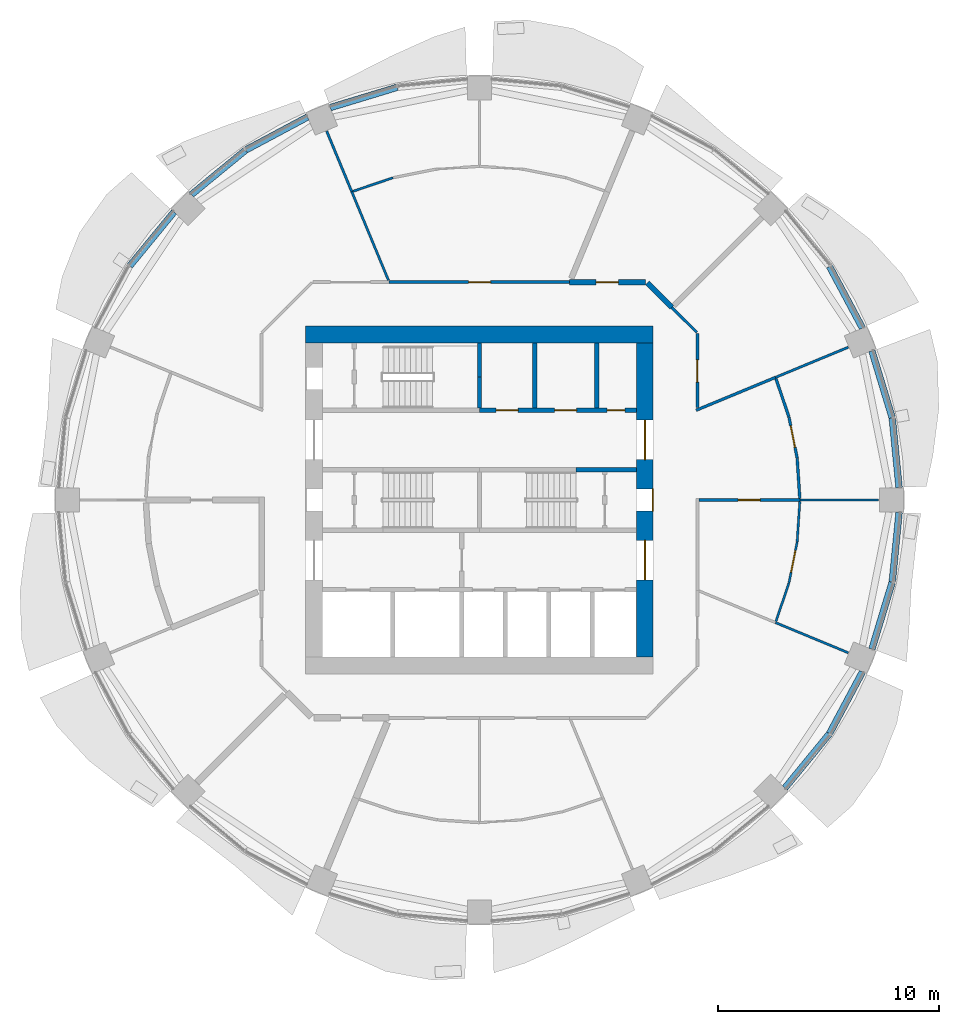
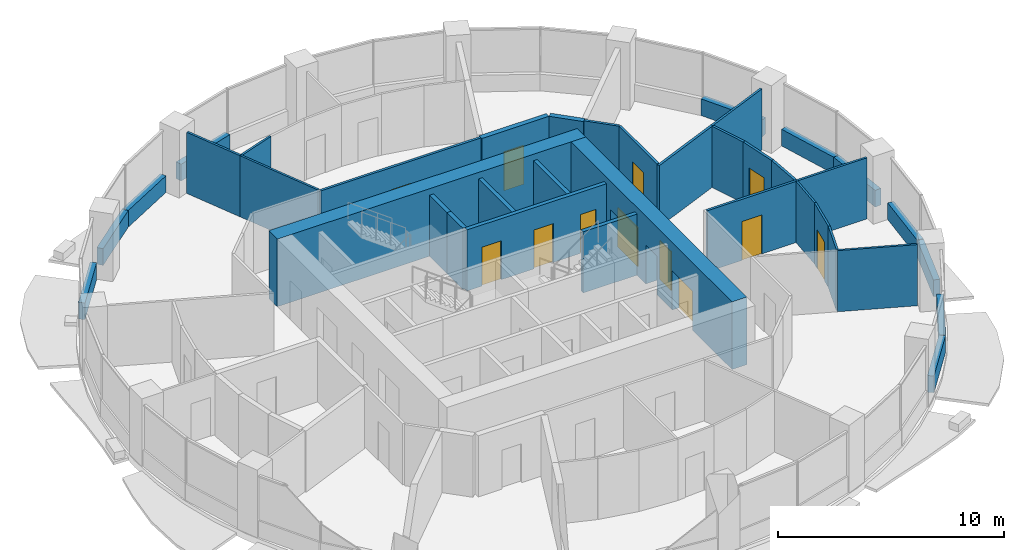
# One storey, part 9 of 14: 38 walls, 12 doors, 12 openings.
"""IFC4 building model written with IfcOpenShell, lengths in metres."""

from ifc_helpers import new_model, si_unit, direction, frame, frame_2d, origin, place, context, subcontext, project, spatial, rectangle, extrude, material, layer, layer_set, type_object, element, fill, save


model = new_model("IFC4")

# Units and contexts
model_context = context("Model", 3, precision=1e-05, world=origin(), true_north=direction((0.0, 1.0)))
body_context = subcontext(model_context, "Body", "Model", "MODEL_VIEW")
ifc_project = project(units=[si_unit("LENGTHUNIT", "METRE"), si_unit("AREAUNIT", "SQUARE_METRE"), si_unit("VOLUMEUNIT", "CUBIC_METRE"), si_unit("PLANEANGLEUNIT", "RADIAN"), si_unit("MASSUNIT", "GRAM", prefix="KILO")], contexts=[model_context])

# Site, building, storey
site_placement = place(None, origin())
site = spatial("IfcSite", under=ifc_project, at=site_placement, CompositionType="ELEMENT")
building_placement = place(site_placement, origin())
building = spatial("IfcBuilding", under=site, at=building_placement, Name="Polderwave Tower", CompositionType="ELEMENT")
storey_placement = place(building_placement, frame((0.0, 0.0, 98.300048828125)))
storey = spatial("IfcBuildingStorey", under=building, at=storey_placement, Name="L25", CompositionType="ELEMENT", Elevation=98.300048828125)

# Wall
ifc_material_1 = material(Name="Concrete C70/85", Category="concrete")
ifc_layer_1 = layer(ifc_material_1, 0.75)
ifc_layer_set_1 = layer_set([ifc_layer_1], Name="CORE WALL 750 C70/85")
wall_type_1 = type_object("IfcWallType", Name="CORE WALL 750 C70/85", PredefinedType="SHEAR", material=ifc_layer_set_1)
wall_1_placement = place(storey_placement, frame((-7.8740234375, 7.4990234375, 0.0), z_axis=(0.0, 0.0, 1.0), x_axis=(1.0, 0.0, 0.0)))
element("IfcWall", 1, at=wall_1_placement, inside=storey, type_object=wall_type_1, Name="ST-CORE-L25-N", PredefinedType="SHEAR", context=body_context, shape_type="SweptSolid", body=[
    extrude(rectangle(XDim=15.748046875, YDim=0.75, at=frame_2d((7.8740234375, 0.0))), origin(), (0.0, 0.0, 1.0), 3.64990234375),
])

# Wall, openings, doors
wall_2_placement = place(storey_placement, frame((7.4990234375, -7.1240234375, 0.0), z_axis=(0.0, 0.0, 1.0), x_axis=(0.0, 1.0, 0.0)))
wall_2 = element("IfcWall", 2, at=wall_2_placement, inside=storey, type_object=wall_type_1, Name="ST-CORE-L25-E", PredefinedType="SHEAR", context=body_context, shape_type="SweptSolid", body=[
    extrude(rectangle(XDim=14.248046875, YDim=0.75, at=frame_2d((7.1240234375, 0.0))), origin(), (0.0, 0.0, 1.0), 3.64990234375),
])
opening_1_placement = place(wall_2_placement, frame((6.6240234375, 0.0, 0.0)))
opening_1 = element("IfcOpeningElement", 3, at=opening_1_placement, cuts=wall_2, Name="Opening L25-D21", PredefinedType="OPENING", context=body_context, shape_type="SweptSolid", body=[
    extrude(rectangle(XDim=1.0, YDim=2.10009765625, at=frame_2d((0.5, 1.050048828125))), frame((0.0, 0.385009765625, 0.0), z_axis=(0.0, -1.0, 0.0), x_axis=(1.0, 0.0, 0.0)), (0.0, 0.0, 1.0), 0.77001953125),
])
opening_2_placement = place(wall_2_placement, frame((3.49951171875, 0.0, 0.0)))
opening_2 = element("IfcOpeningElement", 4, at=opening_2_placement, cuts=wall_2, Name="Opening L25-D22", PredefinedType="OPENING", context=body_context, shape_type="SweptSolid", body=[
    extrude(rectangle(XDim=1.800048828125, YDim=2.10009765625, at=frame_2d((0.89990234375, 1.050048828125))), frame((0.0, 0.385009765625, 0.0), z_axis=(0.0, -1.0, 0.0), x_axis=(1.0, 0.0, 0.0)), (0.0, 0.0, 1.0), 0.77001953125),
])
opening_3_placement = place(wall_2_placement, frame((8.948486328125, 0.0, 0.0)))
opening_3 = element("IfcOpeningElement", 5, at=opening_3_placement, cuts=wall_2, Name="Opening L25-D23", PredefinedType="OPENING", context=body_context, shape_type="SweptSolid", body=[
    extrude(rectangle(XDim=1.800048828125, YDim=2.10009765625, at=frame_2d((0.89990234375, 1.050048828125))), frame((0.0, 0.385009765625, 0.0), z_axis=(0.0, -1.0, 0.0), x_axis=(1.0, 0.0, 0.0)), (0.0, 0.0, 1.0), 0.77001953125),
])
ifc_material_2 = material(Name="Steel fire door", Category="steel")
door_type_1 = type_object("IfcDoorType", Name="Lobby entry door pair 1800", OperationType="DOUBLE_DOOR_SINGLE_SWING", PredefinedType="DOOR", material=ifc_material_2)
door_1_placement = place(opening_2_placement, frame((1.800048828125, 0.0, 0.0), z_axis=(0.0, 0.0, 1.0), x_axis=(-1.0, 0.0, 0.0)))
door_1 = element("IfcDoor", 6, at=door_1_placement, inside=storey, type_object=door_type_1, Name="South lobby entry door", OperationType="DOUBLE_DOOR_SINGLE_SWING", OverallHeight=2.10009765625, OverallWidth=1.800048828125, PredefinedType="DOOR", context=body_context, shape_type="SweptSolid", body=[
    extrude(rectangle(XDim=1.800048828125, YDim=2.10009765625, at=frame_2d((0.89990234375, 1.050048828125))), frame((0.0, 0.02490234375, 0.0), z_axis=(0.0, -1.0, 0.0), x_axis=(1.0, 0.0, 0.0)), (0.0, 0.0, 1.0), 0.050048828125),
])
fill(opening_2, door_1)
door_2_placement = place(opening_3_placement, frame((1.800048828125, 0.0, 0.0), z_axis=(0.0, 0.0, 1.0), x_axis=(-1.0, 0.0, 0.0)))
door_2 = element("IfcDoor", 7, at=door_2_placement, inside=storey, type_object=door_type_1, Name="North lobby entry door", OperationType="DOUBLE_DOOR_SINGLE_SWING", OverallHeight=2.10009765625, OverallWidth=1.800048828125, PredefinedType="DOOR", context=body_context, shape_type="SweptSolid", body=[
    extrude(rectangle(XDim=1.800048828125, YDim=2.10009765625, at=frame_2d((0.89990234375, 1.050048828125))), frame((0.0, 0.02490234375, 0.0), z_axis=(0.0, -1.0, 0.0), x_axis=(1.0, 0.0, 0.0)), (0.0, 0.0, 1.0), 0.050048828125),
])
fill(opening_3, door_2)
door_type_2 = type_object("IfcDoorType", Name="Stair door 1000", OperationType="NOTDEFINED", PredefinedType="DOOR", material=ifc_material_2)
door_3_placement = place(opening_1_placement, frame((1.0, 0.0, 0.0), z_axis=(0.0, 0.0, 1.0), x_axis=(-1.0, 0.0, 0.0)))
door_3 = element("IfcDoor", 8, at=door_3_placement, inside=storey, type_object=door_type_2, Name="Stair B entry door", OperationType="SINGLE_SWING_LEFT", OverallHeight=2.10009765625, OverallWidth=1.0, PredefinedType="DOOR", context=body_context, shape_type="SweptSolid", body=[
    extrude(rectangle(XDim=1.0, YDim=2.10009765625, at=frame_2d((0.5, 1.050048828125))), frame((0.0, 0.375, 0.0), z_axis=(0.0, -1.0, 0.0), x_axis=(1.0, 0.0, 0.0)), (0.0, 0.0, 1.0), 0.050048828125),
])
fill(opening_1, door_3)

# Walls
ifc_material_3 = material(Name="Concrete C50/60 (board-marked)", Category="concrete")
ifc_layer_2 = layer(ifc_material_3, 0.300048828125)
ifc_layer_set_2 = layer_set([ifc_layer_2], Name="Concrete spandrel upstand C50/60")
wall_type_2 = type_object("IfcWallType", Name="Concrete spandrel upstand C50/60", PredefinedType="SOLIDWALL", material=ifc_layer_set_2)
wall_3_placement = place(storey_placement, frame((19.014404296875, 0.56396484375, 0.0), z_axis=(0.0, 0.0, 1.0), x_axis=(-0.097849336863, 0.995201239587, 0.0)))
element("IfcWall", 9, at=wall_3_placement, inside=storey, type_object=wall_type_2, Name="Spandrel L25 1a", PredefinedType="SOLIDWALL", context=body_context, shape_type="SweptSolid", body=[
    extrude(rectangle(XDim=3.15625, YDim=0.300048828125, at=frame_2d((1.578125, 0.0))), origin(), (0.0, 0.0, 1.0), 0.89990234375),
])
wall_4_placement = place(storey_placement, frame((18.69970703125, 3.734375, 0.0), z_axis=(0.0, 0.0, 1.0), x_axis=(-0.290503096001, 0.956874051907, 0.0)))
element("IfcWall", 10, at=wall_4_placement, inside=storey, type_object=wall_type_2, Name="Spandrel L25 1b", PredefinedType="SOLIDWALL", context=body_context, shape_type="SweptSolid", body=[
    extrude(rectangle(XDim=3.157470703125, YDim=0.300048828125, at=frame_2d((1.57861328125, 0.0))), origin(), (0.0, 0.0, 1.0), 0.89990234375),
])
wall_5_placement = place(storey_placement, frame((17.350830078125, 7.797119140625, 0.0), z_axis=(0.0, 0.0, 1.0), x_axis=(-0.471238306932, 0.882005928597, 0.0)))
element("IfcWall", 11, at=wall_5_placement, inside=storey, type_object=wall_type_2, Name="Spandrel L25 2a", PredefinedType="SOLIDWALL", context=body_context, shape_type="SweptSolid", body=[
    extrude(rectangle(XDim=3.1572265625, YDim=0.300048828125, at=frame_2d((1.57861328125, 0.0))), origin(), (0.0, 0.0, 1.0), 0.89990234375),
])
wall_6_placement = place(storey_placement, frame((-3.734375, 18.69970703125, 0.0), z_axis=(0.0, 0.0, 1.0), x_axis=(-0.956874051907, -0.290503096001, 0.0)))
element("IfcWall", 12, at=wall_6_placement, inside=storey, type_object=wall_type_2, Name="Spandrel L25 5b", PredefinedType="SOLIDWALL", context=body_context, shape_type="SweptSolid", body=[
    extrude(rectangle(XDim=3.157470703125, YDim=0.300048828125, at=frame_2d((1.57861328125, 0.0))), origin(), (0.0, 0.0, 1.0), 0.89990234375),
])
for number, where, z_axis, x_axis, name in (
    (13, (-7.797119140625, 17.350830078125, 0.0), (0.0, 0.0, 1.0), (-0.882005928597, -0.471238306932, 0.0), "Spandrel L25 6a"),
    (14, (-10.606689453125, 15.846435546875, 0.0), (0.0, 0.0, 1.0), (-0.773022810229, -0.63437822698, 0.0), "Spandrel L25 6b"),
    (15, (-13.843505859375, 13.04736328125, 0.0), (0.0, 0.0, 1.0), (-0.63437822698, -0.773022810229, 0.0), "Spandrel L25 7a"),
    (16, (13.843505859375, -13.04736328125, 0.0), (0.0, 0.0, 1.0), (0.63437822698, 0.773022810229, 0.0), "Spandrel L25 15a"),
    (17, (15.863037109375, -10.581787109375, 0.0), (0.0, 0.0, 1.0), (0.471238306932, 0.882005928597, 0.0), "Spandrel L25 15b"),
):
    element("IfcWall", number, at=place(storey_placement, frame(where, z_axis=z_axis, x_axis=x_axis)), inside=storey, type_object=wall_type_2, Name=name, PredefinedType="SOLIDWALL", context=body_context, shape_type="SweptSolid", body=[
        extrude(rectangle(XDim=3.1572265625, YDim=0.300048828125, at=frame_2d((1.57861328125, 0.0))), origin(), (0.0, 0.0, 1.0), 0.89990234375),
    ])
wall_7_placement = place(storey_placement, frame((17.782470703125, -6.755615234375, 0.0), z_axis=(0.0, 0.0, 1.0), x_axis=(0.290503096001, 0.956874051907, 0.0)))
element("IfcWall", 18, at=wall_7_placement, inside=storey, type_object=wall_type_2, Name="Spandrel L25 16a", PredefinedType="SOLIDWALL", context=body_context, shape_type="SweptSolid", body=[
    extrude(rectangle(XDim=3.157470703125, YDim=0.300048828125, at=frame_2d((1.57861328125, 0.0))), origin(), (0.0, 0.0, 1.0), 0.89990234375),
])
wall_8_placement = place(storey_placement, frame((18.70556640625, -3.705078125, 0.0), z_axis=(0.0, 0.0, 1.0), x_axis=(0.097849336863, 0.995201239587, 0.0)))
element("IfcWall", 19, at=wall_8_placement, inside=storey, type_object=wall_type_2, Name="Spandrel L25 16b", PredefinedType="SOLIDWALL", context=body_context, shape_type="SweptSolid", body=[
    extrude(rectangle(XDim=3.15625, YDim=0.300048828125, at=frame_2d((1.578125, 0.0))), origin(), (0.0, 0.0, 1.0), 0.89990234375),
])
ifc_material_4 = material(Name="Gypsum board partition")
ifc_layer_3 = layer(ifc_material_4, 0.199951171875)
ifc_layer_set_3 = layer_set([ifc_layer_3], Name="Core room partition 200")
wall_type_3 = type_object("IfcWallType", Name="Core room partition 200", PredefinedType="PARTITIONING", material=ifc_layer_set_3)
wall_9_placement = place(storey_placement, frame((2.508544921875, 4.174072265625, 0.0), z_axis=(0.0, 0.0, 1.0), x_axis=(0.0, 1.0, 0.0)))
element("IfcWall", 20, at=wall_9_placement, inside=storey, type_object=wall_type_3, Name="L25 room partition N1", PredefinedType="PARTITIONING", context=body_context, shape_type="SweptSolid", body=[
    extrude(rectangle(XDim=2.949951171875, YDim=0.199951171875, at=frame_2d((1.47509765625, 0.0))), origin(), (0.0, 0.0, 1.0), 3.300048828125),
])

# Wall, openings, doors
ifc_material_5 = material(Name="Concrete C50/60", Category="concrete")
ifc_layer_4 = layer(ifc_material_5, 0.199951171875)
ifc_layer_set_4 = layer_set([ifc_layer_4], Name="Core web wall 200")
wall_type_4 = type_object("IfcWallType", Name="Core web wall 200", PredefinedType="SHEAR", material=ifc_layer_set_4)
wall_10_placement = place(storey_placement, frame((0.0, 4.073974609375, 0.0), z_axis=(0.0, 0.0, 1.0), x_axis=(1.0, 0.0, 0.0)))
wall_10 = element("IfcWall", 21, at=wall_10_placement, inside=storey, type_object=wall_type_4, Name="L25 north front wall 2", PredefinedType="SHEAR", context=body_context, shape_type="SweptSolid", body=[
    extrude(rectangle(XDim=7.1240234375, YDim=0.199951171875, at=frame_2d((3.56201171875, 0.0))), origin(), (0.0, 0.0, 1.0), 3.300048828125),
])
opening_4_placement = place(wall_10_placement, frame((0.754150390625, 0.0, 0.0)))
opening_4 = element("IfcOpeningElement", 22, at=opening_4_placement, cuts=wall_10, Name="Opening L25-D14", PredefinedType="OPENING", context=body_context, shape_type="SweptSolid", body=[
    extrude(rectangle(XDim=1.0, YDim=2.10009765625, at=frame_2d((0.5, 1.050048828125))), frame((0.0, 0.10986328125, 0.0), z_axis=(0.0, -1.0, 0.0), x_axis=(1.0, 0.0, 0.0)), (0.0, 0.0, 1.0), 0.219970703125),
])
opening_5_placement = place(wall_10_placement, frame((3.406982421875, 0.0, 0.0)))
opening_5 = element("IfcOpeningElement", 23, at=opening_5_placement, cuts=wall_10, Name="Opening L25-D15", PredefinedType="OPENING", context=body_context, shape_type="SweptSolid", body=[
    extrude(rectangle(XDim=1.0, YDim=2.10009765625, at=frame_2d((0.5, 1.050048828125))), frame((0.0, 0.10986328125, 0.0), z_axis=(0.0, -1.0, 0.0), x_axis=(1.0, 0.0, 0.0)), (0.0, 0.0, 1.0), 0.219970703125),
])
opening_6_placement = place(wall_10_placement, frame((5.789794921875, 0.0, 0.0)))
opening_6 = element("IfcOpeningElement", 24, at=opening_6_placement, cuts=wall_10, Name="Opening L25-D16", PredefinedType="OPENING", context=body_context, shape_type="SweptSolid", body=[
    extrude(rectangle(XDim=0.800048828125, YDim=2.10009765625, at=frame_2d((0.39990234375, 1.050048828125))), frame((0.0, 0.10986328125, 0.0), z_axis=(0.0, -1.0, 0.0), x_axis=(1.0, 0.0, 0.0)), (0.0, 0.0, 1.0), 0.219970703125),
])
ifc_material_6 = material(Name="Timber door leaf", Category="wood")
door_type_3 = type_object("IfcDoorType", Name="Accessible WC door 1000", OperationType="NOTDEFINED", PredefinedType="DOOR", material=ifc_material_6)
door_4_placement = place(opening_4_placement, origin())
door_4 = element("IfcDoor", 25, at=door_4_placement, inside=storey, type_object=door_type_3, Name="Accessible WC door", OperationType="SINGLE_SWING_LEFT", OverallHeight=2.10009765625, OverallWidth=1.0, PredefinedType="DOOR", context=body_context, shape_type="SweptSolid", body=[
    extrude(rectangle(XDim=1.0, YDim=2.10009765625, at=frame_2d((0.5, 1.050048828125))), frame((0.0, 0.02490234375, 0.0), z_axis=(0.0, -1.0, 0.0), x_axis=(1.0, 0.0, 0.0)), (0.0, 0.0, 1.0), 0.050048828125),
])
fill(opening_4, door_4)
door_type_4 = type_object("IfcDoorType", Name="Riser door 800", OperationType="NOTDEFINED", PredefinedType="DOOR", material=ifc_material_2)
door_5_placement = place(opening_6_placement, frame((0.800048828125, 0.0, 0.0), z_axis=(0.0, 0.0, 1.0), x_axis=(-1.0, 0.0, 0.0)))
door_5 = element("IfcDoor", 26, at=door_5_placement, inside=storey, type_object=door_type_4, Name="Riser door", OperationType="SINGLE_SWING_LEFT", OverallHeight=2.10009765625, OverallWidth=0.800048828125, PredefinedType="DOOR", context=body_context, shape_type="SweptSolid", body=[
    extrude(rectangle(XDim=0.800048828125, YDim=2.10009765625, at=frame_2d((0.39990234375, 1.050048828125))), frame((0.0, 0.02490234375, 0.0), z_axis=(0.0, -1.0, 0.0), x_axis=(1.0, 0.0, 0.0)), (0.0, 0.0, 1.0), 0.050048828125),
])
fill(opening_6, door_5)
door_type_5 = type_object("IfcDoorType", Name="Room door 1000", OperationType="NOTDEFINED", PredefinedType="DOOR", material=ifc_material_6)
door_6_placement = place(opening_5_placement, origin())
door_6 = element("IfcDoor", 27, at=door_6_placement, inside=storey, type_object=door_type_5, Name="Nutrient dosing room door", OperationType="SINGLE_SWING_RIGHT", OverallHeight=2.10009765625, OverallWidth=1.0, PredefinedType="DOOR", context=body_context, shape_type="SweptSolid", body=[
    extrude(rectangle(XDim=1.0, YDim=2.10009765625, at=frame_2d((0.5, 1.050048828125))), frame((0.0, 0.02490234375, 0.0), z_axis=(0.0, -1.0, 0.0), x_axis=(1.0, 0.0, 0.0)), (0.0, 0.0, 1.0), 0.050048828125),
])
fill(opening_5, door_6)

# Walls
wall_11_placement = place(storey_placement, frame((4.3740234375, 1.375, 0.0), z_axis=(0.0, 0.0, 1.0), x_axis=(1.0, 0.0, 0.0)))
element("IfcWall", 28, at=wall_11_placement, inside=storey, type_object=wall_type_4, Name="L25 north stair wall 4", PredefinedType="SHEAR", context=body_context, shape_type="SweptSolid", body=[
    extrude(rectangle(XDim=2.75, YDim=0.199951171875, at=frame_2d((1.375, 0.0))), origin(), (0.0, 0.0, 1.0), 3.300048828125),
])
wall_12_placement = place(storey_placement, frame((0.0, 4.174072265625, 0.0), z_axis=(0.0, 0.0, 1.0), x_axis=(0.0, 1.0, 0.0)))
element("IfcWall", 29, at=wall_12_placement, inside=storey, type_object=wall_type_4, Name="L25 stair C wall south", PredefinedType="SHEAR", context=body_context, shape_type="SweptSolid", body=[
    extrude(rectangle(XDim=1.39990234375, YDim=0.199951171875, at=frame_2d((0.699951171875, 0.0))), origin(), (0.0, 0.0, 1.0), 3.300048828125),
])
wall_13_placement = place(storey_placement, frame((0.0, 5.573974609375, 0.0), z_axis=(0.0, 0.0, 1.0), x_axis=(0.0, 1.0, 0.0)))
element("IfcWall", 30, at=wall_13_placement, inside=storey, type_object=wall_type_4, Name="L25 stair C wall north", PredefinedType="SHEAR", context=body_context, shape_type="SweptSolid", body=[
    extrude(rectangle(XDim=1.550048828125, YDim=0.199951171875, at=frame_2d((0.77490234375, 0.0))), origin(), (0.0, 0.0, 1.0), 3.300048828125),
])
ifc_material_7 = material(Name="Fire-resisting board on steel studs", Category="steel")
ifc_layer_5 = layer(ifc_material_7, 0.125)
ifc_layer_set_5 = layer_set([ifc_layer_5], Name="Corridor wall 125 mm EI 60")
wall_type_5 = type_object("IfcWallType", Name="Corridor wall 125 mm EI 60", PredefinedType="PARTITIONING", material=ifc_layer_set_5)
wall_14_placement = place(storey_placement, frame((8.722412109375, 8.722412109375, 0.0), z_axis=(0.0, 0.0, 1.0), x_axis=(0.70718294931, -0.707030604857, 0.0)))
element("IfcWall", 31, at=wall_14_placement, inside=storey, type_object=wall_type_5, Name="IN-L25-W001", PredefinedType="PARTITIONING", context=body_context, shape_type="SweptSolid", body=[
    extrude(rectangle(XDim=1.6025390625, YDim=0.125, at=frame_2d((0.80126953125, 0.0))), origin(), (0.0, 0.0, 1.0), 3.300048828125),
])

# Wall, opening, door
wall_15_placement = place(storey_placement, frame((9.8740234375, 7.545166015625, 0.0), z_axis=(0.0, 0.0, 1.0), x_axis=(0.0, -1.0, 0.0)))
wall_15 = element("IfcWall", 32, at=wall_15_placement, inside=storey, type_object=wall_type_5, Name="IN-L25-W002", PredefinedType="PARTITIONING", context=body_context, shape_type="SweptSolid", body=[
    extrude(rectangle(XDim=3.36181640625, YDim=0.125, at=frame_2d((1.680908203125, 0.0))), origin(), (0.0, 0.0, 1.0), 3.300048828125),
])
opening_7_placement = place(wall_15_placement, frame((1.199951171875, 0.0, 0.0)))
opening_7 = element("IfcOpeningElement", 33, at=opening_7_placement, cuts=wall_15, Name="Opening L25-D50", PredefinedType="OPENING", context=body_context, shape_type="SweptSolid", body=[
    extrude(rectangle(XDim=1.0, YDim=2.10009765625, at=frame_2d((0.5, 1.050048828125))), frame((0.0, 0.072509765625, 0.0), z_axis=(0.0, -1.0, 0.0), x_axis=(1.0, 0.0, 0.0)), (0.0, 0.0, 1.0), 0.14501953125),
])
ifc_material_8 = material(Name="Timber fire door leaf", Category="wood")
door_type_6 = type_object("IfcDoorType", Name="Fire door FD30S 1000 x 2100", OperationType="NOTDEFINED", PredefinedType="DOOR", material=ifc_material_8)
door_7_placement = place(opening_7_placement, origin())
door_7 = element("IfcDoor", 34, at=door_7_placement, inside=storey, type_object=door_type_6, Name="Door L25-D50", OperationType="SINGLE_SWING_RIGHT", OverallHeight=2.10009765625, OverallWidth=1.0, PredefinedType="DOOR", context=body_context, shape_type="SweptSolid", body=[
    extrude(rectangle(XDim=1.0, YDim=2.10009765625, at=frame_2d((0.5, 1.050048828125))), frame((0.0, 0.02490234375, 0.0), z_axis=(0.0, -1.0, 0.0), x_axis=(1.0, 0.0, 0.0)), (0.0, 0.0, 1.0), 0.050048828125),
])
fill(opening_7, door_7)

wall_16_placement = place(storey_placement, frame((-4.08984375, 9.8740234375, 0.0), z_axis=(0.0, 0.0, 1.0), x_axis=(1.0, 0.0, 0.0)))
wall_16 = element("IfcWall", 35, at=wall_16_placement, inside=storey, type_object=wall_type_5, Name="IN-L25-W008", PredefinedType="PARTITIONING", context=body_context, shape_type="SweptSolid", body=[
    extrude(rectangle(XDim=8.1796875, YDim=0.125, at=frame_2d((4.08984375, 0.0))), origin(), (0.0, 0.0, 1.0), 3.300048828125),
])
opening_8_placement = place(wall_16_placement, frame((3.60009765625, 0.0, 0.0)))
opening_8 = element("IfcOpeningElement", 36, at=opening_8_placement, cuts=wall_16, Name="Opening L25-D53", PredefinedType="OPENING", context=body_context, shape_type="SweptSolid", body=[
    extrude(rectangle(XDim=1.0, YDim=2.10009765625, at=frame_2d((0.5, 1.050048828125))), frame((0.0, 0.072509765625, 0.0), z_axis=(0.0, -1.0, 0.0), x_axis=(1.0, 0.0, 0.0)), (0.0, 0.0, 1.0), 0.14501953125),
])
door_8_placement = place(opening_8_placement, origin())
door_8 = element("IfcDoor", 37, at=door_8_placement, inside=storey, type_object=door_type_6, Name="Door L25-D53", OperationType="SINGLE_SWING_RIGHT", OverallHeight=2.10009765625, OverallWidth=1.0, PredefinedType="DOOR", context=body_context, shape_type="SweptSolid", body=[
    extrude(rectangle(XDim=1.0, YDim=2.10009765625, at=frame_2d((0.5, 1.050048828125))), frame((0.0, 0.02490234375, 0.0), z_axis=(0.0, -1.0, 0.0), x_axis=(1.0, 0.0, 0.0)), (0.0, 0.0, 1.0), 0.050048828125),
])
fill(opening_8, door_8)

# Wall
wall_17_placement = place(storey_placement, frame((14.02392578125, 3.761962890625, 0.0), z_axis=(0.0, 0.0, 1.0), x_axis=(-0.321390424162, 0.946946775303, 0.0)))
element("IfcWall", 38, at=wall_17_placement, inside=storey, type_object=wall_type_5, Name="IN-L25-W022", PredefinedType="PARTITIONING", context=body_context, shape_type="SweptSolid", body=[
    extrude(rectangle(XDim=1.828369140625, YDim=0.125, at=frame_2d((0.9140625, 0.0))), origin(), (0.0, 0.0, 1.0), 3.300048828125),
])

# Wall, opening, door
wall_18_placement = place(storey_placement, frame((14.02587890625, 3.754150390625, 0.0), z_axis=(0.0, 0.0, 1.0), x_axis=(0.195172749159, -0.980768881024, 0.0)))
wall_18 = element("IfcWall", 39, at=wall_18_placement, inside=storey, type_object=wall_type_5, Name="IN-L25-W023", PredefinedType="PARTITIONING", context=body_context, shape_type="SweptSolid", body=[
    extrude(rectangle(XDim=1.891357421875, YDim=0.125, at=frame_2d((0.94580078125, 0.0))), origin(), (0.0, 0.0, 1.0), 3.300048828125),
])
opening_9_placement = place(wall_18_placement, frame((0.39990234375, 0.0, 0.0)))
opening_9 = element("IfcOpeningElement", 40, at=opening_9_placement, cuts=wall_18, Name="Opening L25-D59", PredefinedType="OPENING", context=body_context, shape_type="SweptSolid", body=[
    extrude(rectangle(XDim=1.0, YDim=2.10009765625, at=frame_2d((0.5, 1.050048828125))), frame((0.0, 0.072509765625, 0.0), z_axis=(0.0, -1.0, 0.0), x_axis=(1.0, 0.0, 0.0)), (0.0, 0.0, 1.0), 0.14501953125),
])
door_9_placement = place(opening_9_placement, origin())
door_9 = element("IfcDoor", 41, at=door_9_placement, inside=storey, type_object=door_type_6, Name="Door L25-D59", OperationType="SINGLE_SWING_LEFT", OverallHeight=2.10009765625, OverallWidth=1.0, PredefinedType="DOOR", context=body_context, shape_type="SweptSolid", body=[
    extrude(rectangle(XDim=1.0, YDim=2.10009765625, at=frame_2d((0.5, 1.050048828125))), frame((0.0, 0.02490234375, 0.0), z_axis=(0.0, -1.0, 0.0), x_axis=(1.0, 0.0, 0.0)), (0.0, 0.0, 1.0), 0.050048828125),
])
fill(opening_9, door_9)

# Walls
wall_19_placement = place(storey_placement, frame((14.515625, 0.066650390625, 0.0), z_axis=(0.0, 0.0, 1.0), x_axis=(-0.065428883326, 0.997857234892, 0.0)))
element("IfcWall", 42, at=wall_19_placement, inside=storey, type_object=wall_type_5, Name="IN-L25-W024", PredefinedType="PARTITIONING", context=body_context, shape_type="SweptSolid", body=[
    extrude(rectangle(XDim=1.828369140625, YDim=0.125, at=frame_2d((0.9140625, 0.0))), origin(), (0.0, 0.0, 1.0), 3.300048828125),
])
wall_20_placement = place(storey_placement, frame((9.81640625, 4.06591796875, 0.0), z_axis=(0.0, 0.0, 1.0), x_axis=(0.923881608957, 0.382678419342, 0.0)))
element("IfcWall", 43, at=wall_20_placement, inside=storey, type_object=wall_type_5, Name="IN-L25-W027", PredefinedType="PARTITIONING", context=body_context, shape_type="SweptSolid", body=[
    extrude(rectangle(XDim=3.894775390625, YDim=0.125, at=frame_2d((1.947265625, 0.0))), origin(), (0.0, 0.0, 1.0), 3.300048828125),
])

# Wall, opening, door
wall_21_placement = place(storey_placement, frame((14.52001953125, 0.0, 0.0), z_axis=(0.0, 0.0, 1.0), x_axis=(-1.0, 0.0, 0.0)))
wall_21 = element("IfcWall", 44, at=wall_21_placement, inside=storey, type_object=wall_type_5, Name="IN-L25-W028", PredefinedType="PARTITIONING", context=body_context, shape_type="SweptSolid", body=[
    extrude(rectangle(XDim=4.58349609375, YDim=0.125, at=frame_2d((2.291748046875, 0.0))), origin(), (0.0, 0.0, 1.0), 3.300048828125),
])
opening_10_placement = place(wall_21_placement, frame((1.800048828125, 0.0, 0.0)))
opening_10 = element("IfcOpeningElement", 45, at=opening_10_placement, cuts=wall_21, Name="Opening L25-D60", PredefinedType="OPENING", context=body_context, shape_type="SweptSolid", body=[
    extrude(rectangle(XDim=1.0, YDim=2.10009765625, at=frame_2d((0.5, 1.050048828125))), frame((0.0, 0.072509765625, 0.0), z_axis=(0.0, -1.0, 0.0), x_axis=(1.0, 0.0, 0.0)), (0.0, 0.0, 1.0), 0.14501953125),
])
door_10_placement = place(opening_10_placement, origin())
door_10 = element("IfcDoor", 46, at=door_10_placement, inside=storey, type_object=door_type_6, Name="Door L25-D60", OperationType="SINGLE_SWING_RIGHT", OverallHeight=2.10009765625, OverallWidth=1.0, PredefinedType="DOOR", context=body_context, shape_type="SweptSolid", body=[
    extrude(rectangle(XDim=1.0, YDim=2.10009765625, at=frame_2d((0.5, 1.050048828125))), frame((0.0, 0.02490234375, 0.0), z_axis=(0.0, -1.0, 0.0), x_axis=(1.0, 0.0, 0.0)), (0.0, 0.0, 1.0), 0.050048828125),
])
fill(opening_10, door_10)

# Wall
ifc_material_9 = material(Name="Plasterboard on steel studs", Category="steel")
ifc_layer_6 = layer(ifc_material_9, 0.10009765625)
ifc_layer_set_6 = layer_set([ifc_layer_6], Name="Partition 100 mm plasterboard on steel studs")
wall_type_6 = type_object("IfcWallType", Name="Partition 100 mm plasterboard on steel studs", PredefinedType="PARTITIONING", material=ifc_layer_set_6)
wall_22_placement = place(storey_placement, frame((14.024169921875, -3.76123046875, 0.0), z_axis=(0.0, 0.0, 1.0), x_axis=(-0.32147693474, -0.946917409508, 0.0)))
element("IfcWall", 47, at=wall_22_placement, inside=storey, type_object=wall_type_6, Name="IN-L25-W067", PredefinedType="PARTITIONING", context=body_context, shape_type="SweptSolid", body=[
    extrude(rectangle(XDim=1.840087890625, YDim=0.10009765625, at=frame_2d((0.919921875, 0.0))), origin(), (0.0, 0.0, 1.0), 3.300048828125),
])

# Wall, opening, door
wall_23_placement = place(storey_placement, frame((14.395263671875, -1.8984375, 0.0), z_axis=(0.0, 0.0, 1.0), x_axis=(-0.195148680089, -0.980773670456, 0.0)))
wall_23 = element("IfcWall", 48, at=wall_23_placement, inside=storey, type_object=wall_type_6, Name="IN-L25-W068", PredefinedType="PARTITIONING", context=body_context, shape_type="SweptSolid", body=[
    extrude(rectangle(XDim=1.892822265625, YDim=0.10009765625, at=frame_2d((0.9462890625, 0.0))), origin(), (0.0, 0.0, 1.0), 3.300048828125),
])
opening_11_placement = place(wall_23_placement, frame((0.39990234375, 0.0, 0.0)))
opening_11 = element("IfcOpeningElement", 49, at=opening_11_placement, cuts=wall_23, Name="Opening L25-D67", PredefinedType="OPENING", context=body_context, shape_type="SweptSolid", body=[
    extrude(rectangle(XDim=1.0, YDim=2.10009765625, at=frame_2d((0.5, 1.050048828125))), frame((0.0, 0.06005859375, 0.0), z_axis=(0.0, -1.0, 0.0), x_axis=(1.0, 0.0, 0.0)), (0.0, 0.0, 1.0), 0.1201171875),
])
ifc_material_10 = material(Name="Timber veneer door leaf", Category="wood")
door_type_7 = type_object("IfcDoorType", Name="Single door 1000 x 2100", OperationType="NOTDEFINED", PredefinedType="DOOR", material=ifc_material_10)
door_11_placement = place(opening_11_placement, origin())
door_11 = element("IfcDoor", 50, at=door_11_placement, inside=storey, type_object=door_type_7, Name="Door L25-D67", OperationType="SINGLE_SWING_LEFT", OverallHeight=2.10009765625, OverallWidth=1.0, PredefinedType="DOOR", context=body_context, shape_type="SweptSolid", body=[
    extrude(rectangle(XDim=1.0, YDim=2.10009765625, at=frame_2d((0.5, 1.050048828125))), frame((0.0, 0.02490234375, 0.0), z_axis=(0.0, -1.0, 0.0), x_axis=(1.0, 0.0, 0.0)), (0.0, 0.0, 1.0), 0.050048828125),
])
fill(opening_11, door_11)

# Walls
wall_24_placement = place(storey_placement, frame((14.515625, -0.06591796875, 0.0), z_axis=(0.0, 0.0, 1.0), x_axis=(-0.065376617685, -0.997860660543, 0.0)))
element("IfcWall", 51, at=wall_24_placement, inside=storey, type_object=wall_type_6, Name="IN-L25-W069", PredefinedType="PARTITIONING", context=body_context, shape_type="SweptSolid", body=[
    extrude(rectangle(XDim=1.829833984375, YDim=0.10009765625, at=frame_2d((0.9150390625, 0.0))), origin(), (0.0, 0.0, 1.0), 3.300048828125),
])
ifc_material_11 = material(Name="Moisture-resistant board on steel studs, tiled", Category="steel")
ifc_layer_7 = layer(ifc_material_11, 0.10498046875)
ifc_layer_set_7 = layer_set([ifc_layer_7], Name="Partition 105 mm wet room board and tile")
wall_type_7 = type_object("IfcWallType", Name="Partition 105 mm wet room board and tile", PredefinedType="PARTITIONING", material=ifc_layer_set_7)
wall_25_placement = place(storey_placement, frame((-5.730712890625, 13.98779296875, 0.0), z_axis=(0.0, 0.0, 1.0), x_axis=(0.946910137099, 0.321498354986, 0.0)))
element("IfcWall", 52, at=wall_25_placement, inside=storey, type_object=wall_type_7, Name="IN-L25-W036", PredefinedType="PARTITIONING", context=body_context, shape_type="SweptSolid", body=[
    extrude(rectangle(XDim=1.916015625, YDim=0.10498046875, at=frame_2d((0.9580078125, 0.0))), origin(), (0.0, 0.0, 1.0), 3.300048828125),
])
wall_26_placement = place(storey_placement, frame((-4.1240234375, 9.95654296875, 0.0), z_axis=(0.0, 0.0, 1.0), x_axis=(-0.382702629741, 0.923871580464, 0.0)))
element("IfcWall", 53, at=wall_26_placement, inside=storey, type_object=wall_type_7, Name="IN-L25-W039", PredefinedType="PARTITIONING", context=body_context, shape_type="SweptSolid", body=[
    extrude(rectangle(XDim=4.343017578125, YDim=0.10498046875, at=frame_2d((2.17138671875, 0.0))), origin(), (0.0, 0.0, 1.0), 3.300048828125),
])
wall_27_placement = place(storey_placement, frame((13.414794921875, -5.556396484375, 0.0), z_axis=(0.0, 0.0, 1.0), x_axis=(0.923870126847, -0.382706138858, 0.0)))
element("IfcWall", 54, at=wall_27_placement, inside=storey, type_object=wall_type_7, Name="IN-L25-W066", PredefinedType="PARTITIONING", context=body_context, shape_type="SweptSolid", body=[
    extrude(rectangle(XDim=3.56982421875, YDim=0.10498046875, at=frame_2d((1.784912109375, 0.0))), origin(), (0.0, 0.0, 1.0), 3.300048828125),
])
ifc_material_12 = material(Name="Acoustic double plasterboard on steel studs", Category="steel")
ifc_layer_8 = layer(ifc_material_12, 0.110107421875)
ifc_layer_set_8 = layer_set([ifc_layer_8], Name="Partition 110 mm acoustic double board")
wall_type_8 = type_object("IfcWallType", Name="Partition 110 mm acoustic double board", PredefinedType="PARTITIONING", material=ifc_layer_set_8)
wall_28_placement = place(storey_placement, frame((13.414794921875, 5.556396484375, 0.0), z_axis=(0.0, 0.0, 1.0), x_axis=(0.923870126847, 0.382706138858, 0.0)))
element("IfcWall", 55, at=wall_28_placement, inside=storey, type_object=wall_type_8, Name="IN-L25-W025", PredefinedType="PARTITIONING", context=body_context, shape_type="SweptSolid", body=[
    extrude(rectangle(XDim=3.56982421875, YDim=0.110107421875, at=frame_2d((1.784912109375, 0.0))), origin(), (0.0, 0.0, 1.0), 3.300048828125),
])
wall_29_placement = place(storey_placement, frame((18.090087890625, 0.0, 0.0), z_axis=(0.0, 0.0, 1.0), x_axis=(-1.0, 0.0, 0.0)))
element("IfcWall", 56, at=wall_29_placement, inside=storey, type_object=wall_type_8, Name="IN-L25-W026", PredefinedType="PARTITIONING", context=body_context, shape_type="SweptSolid", body=[
    extrude(rectangle(XDim=3.570068359375, YDim=0.110107421875, at=frame_2d((1.78515625, 0.0))), origin(), (0.0, 0.0, 1.0), 3.300048828125),
])
wall_30_placement = place(storey_placement, frame((-5.7861328125, 13.968994140625, 0.0), z_axis=(0.0, 0.0, 1.0), x_axis=(-0.382659139036, 0.923889594764, 0.0)))
element("IfcWall", 57, at=wall_30_placement, inside=storey, type_object=wall_type_8, Name="IN-L25-W040", PredefinedType="PARTITIONING", context=body_context, shape_type="SweptSolid", body=[
    extrude(rectangle(XDim=2.969970703125, YDim=0.110107421875, at=frame_2d((1.48486328125, 0.0))), origin(), (0.0, 0.0, 1.0), 3.300048828125),
])

# Wall, opening, door
ifc_material_13 = material(Name="Fire-resisting board on steel studs, mineral wool", Category="steel")
ifc_layer_9 = layer(ifc_material_13, 0.25)
ifc_layer_set_9 = layer_set([ifc_layer_9], Name="Plant room wall 250 mm EI 120")
wall_type_9 = type_object("IfcWallType", Name="Plant room wall 250 mm EI 120", PredefinedType="PARTITIONING", material=ifc_layer_set_9)
wall_31_placement = place(storey_placement, frame((4.08984375, 9.8740234375, 0.0), z_axis=(0.0, 0.0, 1.0), x_axis=(1.0, 0.0, 0.0)))
wall_31 = element("IfcWall", 58, at=wall_31_placement, inside=storey, type_object=wall_type_9, Name="IN-L25-W006", PredefinedType="PARTITIONING", context=body_context, shape_type="SweptSolid", body=[
    extrude(rectangle(XDim=3.429443359375, YDim=0.25, at=frame_2d((1.71484375, 0.0))), origin(), (0.0, 0.0, 1.0), 3.300048828125),
])
opening_12_placement = place(wall_31_placement, frame((1.199951171875, 0.0, 0.0)))
opening_12 = element("IfcOpeningElement", 59, at=opening_12_placement, cuts=wall_31, Name="Opening L25-D52", PredefinedType="OPENING", context=body_context, shape_type="SweptSolid", body=[
    extrude(rectangle(XDim=1.0, YDim=2.10009765625, at=frame_2d((0.5, 1.050048828125))), frame((0.0, 0.135009765625, 0.0), z_axis=(0.0, -1.0, 0.0), x_axis=(1.0, 0.0, 0.0)), (0.0, 0.0, 1.0), 0.27001953125),
])
ifc_material_14 = material(Name="Steel plant door leaf", Category="steel")
door_type_8 = type_object("IfcDoorType", Name="Plant door FD60 1000 x 2100 steel", OperationType="NOTDEFINED", PredefinedType="DOOR", material=ifc_material_14)
door_12_placement = place(opening_12_placement, origin())
door_12 = element("IfcDoor", 60, at=door_12_placement, inside=storey, type_object=door_type_8, Name="Door L25-D52", OperationType="SINGLE_SWING_LEFT", OverallHeight=2.10009765625, OverallWidth=1.0, PredefinedType="DOOR", context=body_context, shape_type="SweptSolid", body=[
    extrude(rectangle(XDim=1.0, YDim=2.10009765625, at=frame_2d((0.5, 1.050048828125))), frame((0.0, 0.02490234375, 0.0), z_axis=(0.0, -1.0, 0.0), x_axis=(1.0, 0.0, 0.0)), (0.0, 0.0, 1.0), 0.050048828125),
])
fill(opening_12, door_12)

# Walls
wall_32_placement = place(storey_placement, frame((7.607666015625, 9.83740234375, 0.0), z_axis=(0.0, 0.0, 1.0), x_axis=(0.707029353672, -0.707184200224, 0.0)))
element("IfcWall", 61, at=wall_32_placement, inside=storey, type_object=wall_type_9, Name="IN-L25-W007", PredefinedType="PARTITIONING", context=body_context, shape_type="SweptSolid", body=[
    extrude(rectangle(XDim=1.57666015625, YDim=0.25, at=frame_2d((0.788330078125, 0.0))), origin(), (0.0, 0.0, 1.0), 3.300048828125),
])
ifc_material_15 = material(Name="Gypsum shaft wall system")
ifc_layer_10 = layer(ifc_material_15, 0.199951171875)
ifc_layer_set_10 = layer_set([ifc_layer_10], Name="Shaft wall 200")
wall_type_10 = type_object("IfcWallType", Name="Shaft wall 200", PredefinedType="PARTITIONING", material=ifc_layer_set_10)
wall_33_placement = place(storey_placement, frame((5.305419921875, 4.174072265625, 0.0), z_axis=(0.0, 0.0, 1.0), x_axis=(0.0, 1.0, 0.0)))
element("IfcWall", 62, at=wall_33_placement, inside=storey, type_object=wall_type_10, Name="L25 riser wall", PredefinedType="PARTITIONING", context=body_context, shape_type="SweptSolid", body=[
    extrude(rectangle(XDim=2.949951171875, YDim=0.199951171875, at=frame_2d((1.47509765625, 0.0))), origin(), (0.0, 0.0, 1.0), 3.300048828125),
])

save(model, "model.ifc")
